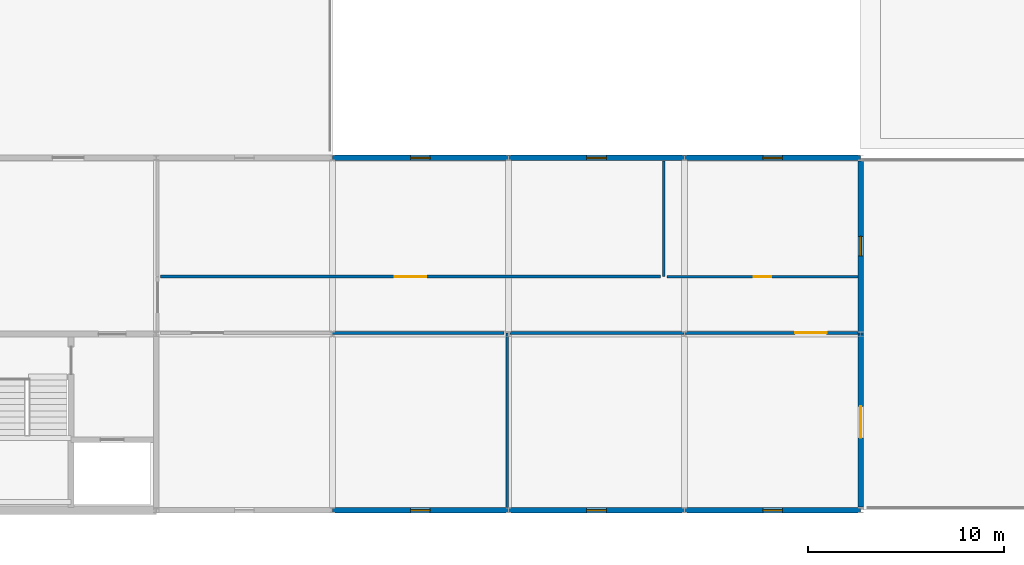
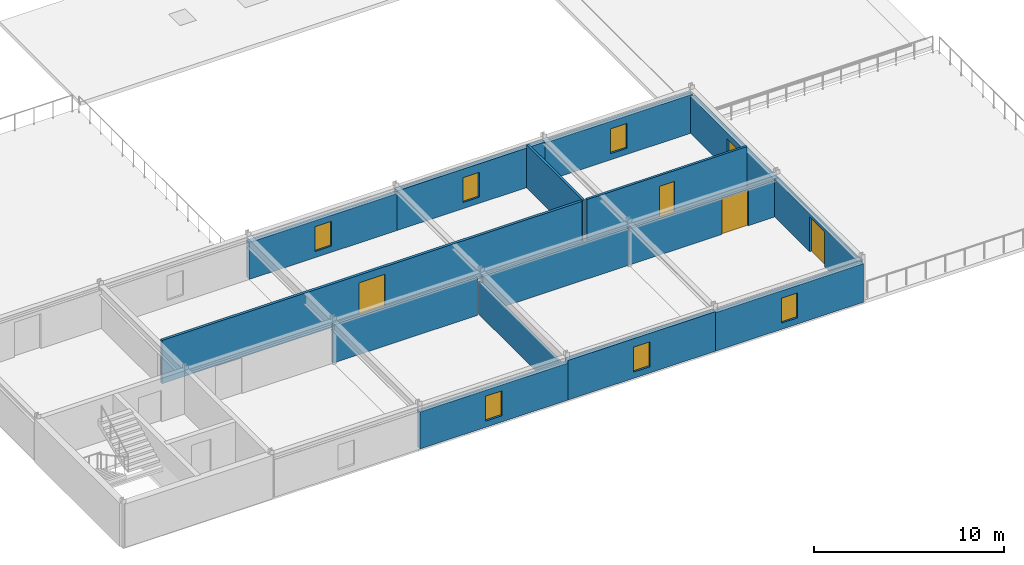
# One storey, part 27 of 37: 15 walls, 7 windows, 4 doors, 11 openings.
"""IFC4 building model written with IfcOpenShell, lengths in metres."""

import ifcopenshell
import ifcopenshell.guid

model = None  # the IFC model being written
_history = None  # IfcOwnerHistory: only IFC2X3 demands one
_inside = {}  # id of a spatial element -> (the spatial element, [elements in it])
_under = {}  # id of a project, library or spatial element -> (it, [spatial elements below it])
_declared = {}  # id of a project -> (the project, [libraries it declares])
_typed = {}  # id of a type object -> (the type object, [elements of that type])
_made_of = {}  # id of a material, layer set ... -> (it, [elements and type objects made of it])


def new_model(schema):
    """Start an empty IFC model of exactly this schema.

    Asked for "IFC4X3", IfcOpenShell would pick the latest addendum, in which some entities
    have other attributes; the version numbers below select the first issue.
    IFC2X3 requires an IfcOwnerHistory on every rooted entity: one is made here for all.
    """
    global model, _history
    if schema == "IFC4X3":
        model = ifcopenshell.file(schema_version=(4, 3, 0, 0))
    else:
        model = ifcopenshell.file(schema=schema)
    _inside.clear()
    _under.clear()
    _declared.clear()
    _typed.clear()
    _made_of.clear()
    _history = None
    if model.schema == "IFC2X3":
        org = make("IfcOrganization", Name="unknown")
        user = make(
            "IfcPersonAndOrganization",
            ThePerson=make("IfcPerson", FamilyName="unknown"),
            TheOrganization=org,
        )
        app = make(
            "IfcApplication",
            ApplicationDeveloper=org,
            Version="unknown",
            ApplicationFullName="unknown",
            ApplicationIdentifier="unknown",
        )
        _history = make(
            "IfcOwnerHistory",
            OwningUser=user,
            OwningApplication=app,
            ChangeAction="ADDED",
            CreationDate=0,
        )
    return model


def make(cls, **values):
    """One entity of the class cls with the attributes given. An attribute that is None is left unset."""
    return model.create_entity(
        cls, **{name: value for name, value in values.items() if value is not None}
    )


def rooted(cls, **values):
    """An entity with a GlobalId (a new one), such as an element, a storey or a relation."""
    return make(cls, GlobalId=ifcopenshell.guid.new(), OwnerHistory=_history, **values)


def si_unit(unit_type, name, prefix=None):
    """IfcSIUnit, for example si_unit("LENGTHUNIT", "METRE", prefix="MILLI")."""
    return make("IfcSIUnit", UnitType=unit_type, Prefix=prefix, Name=name)


def assignment(units):
    """IfcUnitAssignment: the units of a project."""
    return None if units is None else make("IfcUnitAssignment", Units=units)


def point(xyz):
    """IfcCartesianPoint."""
    return None if xyz is None else make("IfcCartesianPoint", Coordinates=xyz)


def direction(xyz):
    """IfcDirection."""
    return None if xyz is None else make("IfcDirection", DirectionRatios=xyz)


def frame(location, z_axis=None, x_axis=None):
    """IfcAxis2Placement3D, a coordinate frame: its origin and axes. An axis left out is left unset."""
    return make(
        "IfcAxis2Placement3D",
        Location=point(location),
        Axis=direction(z_axis),
        RefDirection=direction(x_axis),
    )


def frame_2d(location, x_axis=None):
    """IfcAxis2Placement2D, a coordinate frame in the plane: its origin and x axis."""
    return make(
        "IfcAxis2Placement2D", Location=point(location), RefDirection=direction(x_axis)
    )


def origin():
    """The frame at (0, 0, 0) with its axes left unset."""
    return frame((0.0, 0.0, 0.0))


def place(relative_to, where):
    """IfcLocalPlacement: puts the frame where relative to a parent placement (None: the world)."""
    return make(
        "IfcLocalPlacement", PlacementRelTo=relative_to, RelativePlacement=where
    )


def context(
    kind, dimensions, precision=None, world=None, true_north=None, identifier=None
):
    """IfcGeometricRepresentationContext, for example the 3D "Model" context."""
    return make(
        "IfcGeometricRepresentationContext",
        ContextIdentifier=identifier,
        ContextType=kind,
        CoordinateSpaceDimension=dimensions,
        Precision=precision,
        WorldCoordinateSystem=world,
        TrueNorth=true_north,
    )


def subcontext(parent, identifier, kind, view, scale=None):
    """IfcGeometricRepresentationSubContext, for example "Body" below "Model"."""
    return make(
        "IfcGeometricRepresentationSubContext",
        ContextIdentifier=identifier,
        ContextType=kind,
        ParentContext=parent,
        TargetScale=scale,
        TargetView=view,
    )


def project(units=None, contexts=None):
    """IfcProject with its units and contexts."""
    return rooted(
        "IfcProject",
        Name="project",
        RepresentationContexts=contexts,
        UnitsInContext=assignment(units),
    )


def spatial(cls, under=None, at=None, **own):
    """A site, building, storey or space (cls), placed at a placement, below another one or the project."""
    s = rooted(cls, ObjectPlacement=at, **own)
    if under is not None:
        _under.setdefault(under.id(), (under, []))[1].append(s)
    return s


def profile(cls, at=None, kind="AREA", **sizes):
    """A parametric profile (cls). Its sizes go by their IFC names, for example OverallWidth=200.0."""
    return make(cls, ProfileType=kind, Position=at, **sizes)


def rectangle(**sizes):
    """IfcRectangleProfileDef."""
    return profile("IfcRectangleProfileDef", **sizes)


def extrude(swept, where, along, depth):
    """IfcExtrudedAreaSolid: the profile swept, set in the frame where, extruded along a direction by depth."""
    return make(
        "IfcExtrudedAreaSolid",
        SweptArea=swept,
        Position=where,
        ExtrudedDirection=direction(along),
        Depth=depth,
    )


def shape(context_of_items, identifier, shape_type, items):
    """IfcShapeRepresentation: the items that make up one representation, for example the "Body"."""
    return make(
        "IfcShapeRepresentation",
        ContextOfItems=context_of_items,
        RepresentationIdentifier=identifier,
        RepresentationType=shape_type,
        Items=items,
    )


def material(Name=None, Category=None):
    """IfcMaterial."""
    return make("IfcMaterial", Name=Name, Category=Category)


def layer(
    of_material, thickness, ventilated=None, Name=None, Category=None, Priority=None
):
    """IfcMaterialLayer: one layer of a wall or slab, of a material (None: an air gap)."""
    return make(
        "IfcMaterialLayer",
        Material=of_material,
        LayerThickness=thickness,
        IsVentilated=ventilated,
        Name=Name,
        Category=Category,
        Priority=Priority,
    )


def layer_set(layers, Name=None):
    """IfcMaterialLayerSet."""
    return make("IfcMaterialLayerSet", MaterialLayers=layers, LayerSetName=Name)


def made_of(thing, what):
    """Note that an element or type object is made of a material, layer set ...; save() writes the relation."""
    if what is not None:
        _made_of.setdefault(what.id(), (what, []))[1].append(thing)
    return thing


def type_object(cls, material=None, **own):
    """A type object (cls), such as IfcWallType, which elements share."""
    return made_of(rooted(cls, **own), material)


def element(
    cls,
    number,
    at=None,
    inside=None,
    cuts=None,
    type_object=None,
    material=None,
    context=None,
    identifier="Body",
    shape_type=None,
    held_by="IfcProductDefinitionShape",
    body=None,
    shapes=None,
    **own,
):
    """One element of the class cls, such as IfcWall. Its Tag is "e" and its number.

    at: its placement. inside: the storey or other place that contains it. cuts: it is an
    opening in that element (IfcRelVoidsElement). A single representation is given by context,
    identifier, shape_type and body (its items); several are given by shapes. held_by: the class
    of the entity that holds the representations. save() writes the other relations.
    """
    e = rooted(cls, Tag="e%d" % number, ObjectPlacement=at, **own)
    if body is not None:
        shapes = [shape(context, identifier, shape_type, body)]
    if shapes is not None:
        e.Representation = make(held_by, Representations=shapes)
    if inside is not None:
        _inside.setdefault(inside.id(), (inside, []))[1].append(e)
    if cuts is not None:
        rooted(
            "IfcRelVoidsElement", RelatingBuildingElement=cuts, RelatedOpeningElement=e
        )
    if type_object is not None:
        _typed.setdefault(type_object.id(), (type_object, []))[1].append(e)
    return made_of(e, material)


def fill(opening, filler):
    """IfcRelFillsElement: the door or window that sits in an opening."""
    return rooted(
        "IfcRelFillsElement",
        RelatingOpeningElement=opening,
        RelatedBuildingElement=filler,
    )


def aggregate(whole, parts):
    """IfcRelAggregates: a whole, such as a stair, and the parts it consists of."""
    return rooted("IfcRelAggregates", RelatingObject=whole, RelatedObjects=parts)


def save(model, path):
    """Write the relations noted so far, then the file.

    IfcRelAggregates (storeys below a building ...), IfcRelContainedInSpatialStructure (elements
    in a storey), IfcRelDefinesByType, IfcRelAssociatesMaterial and IfcRelDeclares: one each for
    every whole, place, type object, material and project.
    """
    for whole, parts in _under.values():
        aggregate(whole, parts)
    for where, things in _inside.values():
        rooted(
            "IfcRelContainedInSpatialStructure",
            RelatedElements=things,
            RelatingStructure=where,
        )
    for kind, things in _typed.values():
        rooted("IfcRelDefinesByType", RelatedObjects=things, RelatingType=kind)
    for what, things in _made_of.values():
        rooted("IfcRelAssociatesMaterial", RelatedObjects=things, RelatingMaterial=what)
    for by, libraries in _declared.values():
        rooted("IfcRelDeclares", RelatingContext=by, RelatedDefinitions=libraries)
    model.write(path)


model = new_model("IFC4")

# Units and contexts
model_context = context("Model", 3, precision=1e-05, world=origin(), true_north=direction((0.0, 1.0)))
body_context = subcontext(model_context, "Body", "Model", "MODEL_VIEW")
ifc_project = project(units=[si_unit("LENGTHUNIT", "METRE"), si_unit("AREAUNIT", "SQUARE_METRE"), si_unit("VOLUMEUNIT", "CUBIC_METRE"), si_unit("PLANEANGLEUNIT", "RADIAN"), si_unit("MASSUNIT", "GRAM", prefix="KILO")], contexts=[model_context])

# Site, building, storey
site_placement = place(None, origin())
site = spatial("IfcSite", under=ifc_project, at=site_placement, CompositionType="ELEMENT")
building_placement = place(site_placement, origin())
building = spatial("IfcBuilding", under=site, at=building_placement, Name="Palais des Congres Ocreval", CompositionType="ELEMENT")
storey_placement = place(building_placement, frame((0.0, 0.0, 11.52001953125)))
storey = spatial("IfcBuildingStorey", under=building, at=storey_placement, Name="L03", CompositionType="ELEMENT", Elevation=11.52001953125)

# Wall
ifc_material_1 = material(Name="Moisture-resistant gypsum board")
ifc_layer_1 = layer(ifc_material_1, 0.139892578125)
ifc_layer_set_1 = layer_set([ifc_layer_1], Name="Bathroom Plumbing Chase Wall 140 Gypsum (Moisture-resistant gypsum board)")
wall_type_1 = type_object("IfcWallType", Name="Bathroom Plumbing Chase Wall 140 Gypsum", PredefinedType="PLUMBINGWALL", material=ifc_layer_set_1)
wall_1_placement = place(storey_placement, frame((142.93505859375, 11.93994140625, 0.0), z_axis=(0.0, 0.0, 1.0), x_axis=(0.0, 1.0, 0.0)))
element("IfcWall", 1, at=wall_1_placement, inside=storey, type_object=wall_type_1, Name="Interior Partition PW03 L03", PredefinedType="PLUMBINGWALL", context=body_context, shape_type="SweptSolid", body=[
    extrude(rectangle(XDim=5.9150390625, YDim=0.139892578125, at=frame_2d((2.95751953125, 0.0))), origin(), (0.0, 0.0, 1.0), 2.7900390625),
])

# Wall, opening, door
wall_2_placement = place(storey_placement, frame((143.090087890625, 11.93505859375, 0.0), z_axis=(0.0, 0.0, 1.0), x_axis=(1.0, 0.0, 0.0)))
wall_2 = element("IfcWall", 2, at=wall_2_placement, inside=storey, type_object=wall_type_1, Name="Interior Partition PW03 L03", PredefinedType="PLUMBINGWALL", context=body_context, shape_type="SweptSolid", body=[
    extrude(rectangle(XDim=9.764892578125, YDim=0.139892578125, at=frame_2d((4.88232421875, 0.0))), origin(), (0.0, 0.0, 1.0), 2.7900390625),
])
opening_1_placement = place(wall_2_placement, frame((4.4326171875, 0.0, 0.0)))
opening_1 = element("IfcOpeningElement", 3, at=opening_1_placement, cuts=wall_2, Name="Opening D09", PredefinedType="OPENING", context=body_context, shape_type="SweptSolid", body=[
    extrude(rectangle(XDim=0.89990234375, YDim=2.10009765625, at=frame_2d((0.449951171875, 1.050048828125))), frame((0.0, 0.079833984375, 0.0), z_axis=(0.0, -1.0, 0.0), x_axis=(1.0, 0.0, 0.0)), (0.0, 0.0, 1.0), 0.159912109375),
])
ifc_material_2 = material(Name="Solid French oak", Category="wood")
door_type_1 = type_object("IfcDoorType", Name="Accessible Restroom Door 900x2100", OperationType="NOTDEFINED", PredefinedType="DOOR", material=ifc_material_2)
door_1_placement = place(opening_1_placement, origin())
door_1 = element("IfcDoor", 4, at=door_1_placement, inside=storey, type_object=door_type_1, Name="Interior Door D09 L03", OperationType="SINGLE_SWING_RIGHT", OverallHeight=2.10009765625, OverallWidth=0.89990234375, PredefinedType="DOOR", context=body_context, shape_type="SweptSolid", body=[
    extrude(rectangle(XDim=0.89990234375, YDim=2.10009765625, at=frame_2d((0.449951171875, 1.050048828125))), frame((0.0, 0.02490234375, 0.0), z_axis=(0.0, -1.0, 0.0), x_axis=(1.0, 0.0, 0.0)), (0.0, 0.0, 1.0), 0.050048828125),
])
fill(opening_1, door_1)

# Wall
ifc_material_3 = material(Name="Gypsum acoustic partition")
ifc_layer_2 = layer(ifc_material_3, 0.159912109375)
ifc_layer_set_2 = layer_set([ifc_layer_2], Name="Corridor Fire Partition 160 Gypsum (Gypsum acoustic partition)")
wall_type_2 = type_object("IfcWallType", Name="Corridor Fire Partition 160 Gypsum", PredefinedType="PARTITIONING", material=ifc_layer_set_2)
wall_3_placement = place(storey_placement, frame((135.090087890625, 9.06494140625, 0.0), z_axis=(0.0, 0.0, 1.0), x_axis=(1.0, 0.0, 0.0)))
element("IfcWall", 5, at=wall_3_placement, inside=storey, type_object=wall_type_2, Name="Interior Partition IW03 L03", PredefinedType="PARTITIONING", context=body_context, shape_type="SweptSolid", body=[
    extrude(rectangle(XDim=8.889892578125, YDim=0.159912109375, at=frame_2d((4.44482421875, 0.0))), origin(), (0.0, 0.0, 1.0), 2.389892578125),
])

# Wall, opening, door
wall_4_placement = place(storey_placement, frame((117.219970703125, 11.93505859375, 0.0), z_axis=(0.0, 0.0, 1.0), x_axis=(1.0, 0.0, 0.0)))
wall_4 = element("IfcWall", 6, at=wall_4_placement, inside=storey, type_object=wall_type_2, Name="Interior Partition IW03 L03", PredefinedType="PARTITIONING", context=body_context, shape_type="SweptSolid", body=[
    extrude(rectangle(XDim=25.56005859375, YDim=0.159912109375, at=frame_2d((12.780029296875, 0.0))), origin(), (0.0, 0.0, 1.0), 2.7900390625),
])
opening_2_placement = place(wall_4_placement, frame((11.97998046875, 0.0, 0.0)))
opening_2 = element("IfcOpeningElement", 7, at=opening_2_placement, cuts=wall_4, Name="Opening D12", PredefinedType="OPENING", context=body_context, shape_type="SweptSolid", body=[
    extrude(rectangle(XDim=1.60009765625, YDim=2.300048828125, at=frame_2d((0.800048828125, 1.14990234375))), frame((0.0, 0.08984375, 0.0), z_axis=(0.0, -1.0, 0.0), x_axis=(1.0, 0.0, 0.0)), (0.0, 0.0, 1.0), 0.179931640625),
])
door_type_2 = type_object("IfcDoorType", Name="Meeting Room Acoustic Double Door 1600x2300", OperationType="NOTDEFINED", PredefinedType="DOOR", material=ifc_material_2)
door_2_placement = place(opening_2_placement, origin())
door_2 = element("IfcDoor", 8, at=door_2_placement, inside=storey, type_object=door_type_2, Name="Interior Door D12 L03", OperationType="DOUBLE_DOOR_SINGLE_SWING", OverallHeight=2.300048828125, OverallWidth=1.60009765625, PredefinedType="DOOR", context=body_context, shape_type="SweptSolid", body=[
    extrude(rectangle(XDim=1.60009765625, YDim=2.300048828125, at=frame_2d((0.800048828125, 1.14990234375))), frame((0.0, 0.02490234375, 0.0), z_axis=(0.0, -1.0, 0.0), x_axis=(1.0, 0.0, 0.0)), (0.0, 0.0, 1.0), 0.050048828125),
])
fill(opening_2, door_2)

# Wall
wall_5_placement = place(storey_placement, frame((125.97998046875, 9.06494140625, 0.0), z_axis=(0.0, 0.0, 1.0), x_axis=(1.0, 0.0, 0.0)))
element("IfcWall", 9, at=wall_5_placement, inside=storey, type_object=wall_type_2, Name="Interior Partition IW03 L03", PredefinedType="PARTITIONING", context=body_context, shape_type="SweptSolid", body=[
    extrude(rectangle(XDim=8.800048828125, YDim=0.159912109375, at=frame_2d((4.39990234375, 0.0))), origin(), (0.0, 0.0, 1.0), 2.449951171875),
])

# Wall, opening, door
wall_6_placement = place(storey_placement, frame((143.97998046875, 9.06494140625, 0.0), z_axis=(0.0, 0.0, 1.0), x_axis=(1.0, 0.0, 0.0)))
wall_6 = element("IfcWall", 10, at=wall_6_placement, inside=storey, type_object=wall_type_2, Name="Interior Partition IW03 L03", PredefinedType="PARTITIONING", context=body_context, shape_type="SweptSolid", body=[
    extrude(rectangle(XDim=8.875, YDim=0.159912109375, at=frame_2d((4.4375, 0.0))), origin(), (0.0, 0.0, 1.0), 2.340087890625),
])
opening_3_placement = place(wall_6_placement, frame((5.675048828125, 0.0, 0.0)))
opening_3 = element("IfcOpeningElement", 11, at=opening_3_placement, cuts=wall_6, Name="Opening D12", PredefinedType="OPENING", context=body_context, shape_type="SweptSolid", body=[
    extrude(rectangle(XDim=1.60009765625, YDim=2.300048828125, at=frame_2d((0.800048828125, 1.14990234375))), frame((0.0, 0.08984375, 0.0), z_axis=(0.0, -1.0, 0.0), x_axis=(1.0, 0.0, 0.0)), (0.0, 0.0, 1.0), 0.179931640625),
])
door_3_placement = place(opening_3_placement, origin())
door_3 = element("IfcDoor", 12, at=door_3_placement, inside=storey, type_object=door_type_2, Name="Interior Door D12 L03", OperationType="DOUBLE_DOOR_SINGLE_SWING", OverallHeight=2.300048828125, OverallWidth=1.60009765625, PredefinedType="DOOR", context=body_context, shape_type="SweptSolid", body=[
    extrude(rectangle(XDim=1.60009765625, YDim=2.300048828125, at=frame_2d((0.800048828125, 1.14990234375))), frame((0.0, 0.02490234375, 0.0), z_axis=(0.0, -1.0, 0.0), x_axis=(1.0, 0.0, 0.0)), (0.0, 0.0, 1.0), 0.050048828125),
])
fill(opening_3, door_3)

# Wall
ifc_material_4 = material(Name="Gypsum board partition")
ifc_layer_3 = layer(ifc_material_4, 0.1201171875)
ifc_layer_set_3 = layer_set([ifc_layer_3], Name="Suite Subdivision Partition 120 Gypsum (Gypsum board partition)")
wall_type_3 = type_object("IfcWallType", Name="Suite Subdivision Partition 120 Gypsum", PredefinedType="PARTITIONING", material=ifc_layer_set_3)
wall_7_placement = place(storey_placement, frame((134.93505859375, 0.14501953125, 0.0), z_axis=(0.0, 0.0, 1.0), x_axis=(0.0, 1.0, 0.0)))
element("IfcWall", 13, at=wall_7_placement, inside=storey, type_object=wall_type_3, Name="Interior Partition IW04 L03", PredefinedType="PARTITIONING", context=body_context, shape_type="SweptSolid", body=[
    extrude(rectangle(XDim=8.9150390625, YDim=0.1201171875, at=frame_2d((4.45751953125, 0.0))), origin(), (0.0, 0.0, 1.0), 2.090087890625),
])

# Wall, opening, window
ifc_material_5 = material(Name="Concrete C40/50", Category="concrete")
ifc_layer_4 = layer(ifc_material_5, 0.280029296875)
ifc_layer_set_4 = layer_set([ifc_layer_4], Name="Terracotta Mineral-Lime Facade Wall 280 Concrete C40/50")
wall_type_4 = type_object("IfcWallType", Name="Terracotta Mineral-Lime Facade Wall 280 Concrete C40/50", PredefinedType="SOLIDWALL", material=ifc_layer_set_4)
wall_8_placement = place(storey_placement, frame((126.0, 18.0, 0.0), z_axis=(0.0, 0.0, 1.0), x_axis=(1.0, 0.0, 0.0)))
wall_8 = element("IfcWall", 14, at=wall_8_placement, inside=storey, type_object=wall_type_4, Name="Exterior Wall EW05 L03", PredefinedType="SOLIDWALL", context=body_context, shape_type="SweptSolid", body=[
    extrude(rectangle(XDim=9.0, YDim=0.280029296875, at=frame_2d((4.5, 0.0))), origin(), (0.0, 0.0, 1.0), 2.3798828125),
])
opening_4_placement = place(wall_8_placement, frame((4.0, 0.0, 0.39990234375)))
opening_4 = element("IfcOpeningElement", 15, at=opening_4_placement, cuts=wall_8, Name="Opening WN18", PredefinedType="OPENING", context=body_context, shape_type="SweptSolid", body=[
    extrude(rectangle(XDim=1.0, YDim=1.60009765625, at=frame_2d((0.5, 0.800048828125))), frame((0.0, 0.14990234375, 0.0), z_axis=(0.0, -1.0, 0.0), x_axis=(1.0, 0.0, 0.0)), (0.0, 0.0, 1.0), 0.300048828125),
])
ifc_material_6 = material(Name="Anodized bronze aluminium and low-E glass", Category="glass")
window_type = type_object("IfcWindowType", Name="Stair and Lobby Daylight Window 1000x1600", PartitioningType="SINGLE_PANEL", PredefinedType="WINDOW", material=ifc_material_6)
window_1_placement = place(opening_4_placement, origin())
window_1 = element("IfcWindow", 16, at=window_1_placement, inside=storey, type_object=window_type, Name="Facade Window WN18", OverallHeight=1.60009765625, OverallWidth=1.0, PartitioningType="SINGLE_PANEL", PredefinedType="WINDOW", context=body_context, shape_type="SweptSolid", body=[
    extrude(rectangle(XDim=1.0, YDim=1.60009765625, at=frame_2d((0.5, 0.800048828125))), frame((0.0, 0.030029296875, 0.0), z_axis=(0.0, -1.0, 0.0), x_axis=(1.0, 0.0, 0.0)), (0.0, 0.0, 1.0), 0.06005859375),
])
fill(opening_4, window_1)

wall_9_placement = place(storey_placement, frame((135.0, 18.0, 0.0), z_axis=(0.0, 0.0, 1.0), x_axis=(1.0, 0.0, 0.0)))
wall_9 = element("IfcWall", 17, at=wall_9_placement, inside=storey, type_object=wall_type_4, Name="Exterior Wall EW05 L03", PredefinedType="SOLIDWALL", context=body_context, shape_type="SweptSolid", body=[
    extrude(rectangle(XDim=9.0, YDim=0.280029296875, at=frame_2d((4.5, 0.0))), origin(), (0.0, 0.0, 1.0), 2.550048828125),
])
opening_5_placement = place(wall_9_placement, frame((4.0, 0.0, 0.39990234375)))
opening_5 = element("IfcOpeningElement", 18, at=opening_5_placement, cuts=wall_9, Name="Opening WN18", PredefinedType="OPENING", context=body_context, shape_type="SweptSolid", body=[
    extrude(rectangle(XDim=1.0, YDim=1.60009765625, at=frame_2d((0.5, 0.800048828125))), frame((0.0, 0.14990234375, 0.0), z_axis=(0.0, -1.0, 0.0), x_axis=(1.0, 0.0, 0.0)), (0.0, 0.0, 1.0), 0.300048828125),
])
window_2_placement = place(opening_5_placement, origin())
window_2 = element("IfcWindow", 19, at=window_2_placement, inside=storey, type_object=window_type, Name="Facade Window WN18", OverallHeight=1.60009765625, OverallWidth=1.0, PartitioningType="SINGLE_PANEL", PredefinedType="WINDOW", context=body_context, shape_type="SweptSolid", body=[
    extrude(rectangle(XDim=1.0, YDim=1.60009765625, at=frame_2d((0.5, 0.800048828125))), frame((0.0, 0.030029296875, 0.0), z_axis=(0.0, -1.0, 0.0), x_axis=(1.0, 0.0, 0.0)), (0.0, 0.0, 1.0), 0.06005859375),
])
fill(opening_5, window_2)

wall_10_placement = place(storey_placement, frame((144.0, 18.0, 0.0), z_axis=(0.0, 0.0, 1.0), x_axis=(1.0, 0.0, 0.0)))
wall_10 = element("IfcWall", 20, at=wall_10_placement, inside=storey, type_object=wall_type_4, Name="Exterior Wall EW05 L03", PredefinedType="SOLIDWALL", context=body_context, shape_type="SweptSolid", body=[
    extrude(rectangle(XDim=9.0, YDim=0.280029296875, at=frame_2d((4.5, 0.0))), origin(), (0.0, 0.0, 1.0), 2.47998046875),
])
opening_6_placement = place(wall_10_placement, frame((4.0, 0.0, 0.39990234375)))
opening_6 = element("IfcOpeningElement", 21, at=opening_6_placement, cuts=wall_10, Name="Opening WN18", PredefinedType="OPENING", context=body_context, shape_type="SweptSolid", body=[
    extrude(rectangle(XDim=1.0, YDim=1.60009765625, at=frame_2d((0.5, 0.800048828125))), frame((0.0, 0.14990234375, 0.0), z_axis=(0.0, -1.0, 0.0), x_axis=(1.0, 0.0, 0.0)), (0.0, 0.0, 1.0), 0.300048828125),
])
window_3_placement = place(opening_6_placement, origin())
window_3 = element("IfcWindow", 22, at=window_3_placement, inside=storey, type_object=window_type, Name="Facade Window WN18", OverallHeight=1.60009765625, OverallWidth=1.0, PartitioningType="SINGLE_PANEL", PredefinedType="WINDOW", context=body_context, shape_type="SweptSolid", body=[
    extrude(rectangle(XDim=1.0, YDim=1.60009765625, at=frame_2d((0.5, 0.800048828125))), frame((0.0, 0.030029296875, 0.0), z_axis=(0.0, -1.0, 0.0), x_axis=(1.0, 0.0, 0.0)), (0.0, 0.0, 1.0), 0.06005859375),
])
fill(opening_6, window_3)

wall_11_placement = place(storey_placement, frame((153.0, 17.844970703125, 0.0), z_axis=(0.0, 0.0, 1.0), x_axis=(0.0, -1.0, 0.0)))
wall_11 = element("IfcWall", 23, at=wall_11_placement, inside=storey, type_object=wall_type_4, Name="Exterior Wall EW05 L03", PredefinedType="SOLIDWALL", context=body_context, shape_type="SweptSolid", body=[
    extrude(rectangle(XDim=8.844970703125, YDim=0.280029296875, at=frame_2d((4.42236328125, 0.0))), origin(), (0.0, 0.0, 1.0), 2.389892578125),
])
opening_7_placement = place(wall_11_placement, frame((3.844970703125, 0.0, 0.39990234375)))
opening_7 = element("IfcOpeningElement", 24, at=opening_7_placement, cuts=wall_11, Name="Opening WN18", PredefinedType="OPENING", context=body_context, shape_type="SweptSolid", body=[
    extrude(rectangle(XDim=1.0, YDim=1.60009765625, at=frame_2d((0.5, 0.800048828125))), frame((0.0, 0.14990234375, 0.0), z_axis=(0.0, -1.0, 0.0), x_axis=(1.0, 0.0, 0.0)), (0.0, 0.0, 1.0), 0.300048828125),
])
window_4_placement = place(opening_7_placement, origin())
window_4 = element("IfcWindow", 25, at=window_4_placement, inside=storey, type_object=window_type, Name="Facade Window WN18", OverallHeight=1.60009765625, OverallWidth=1.0, PartitioningType="SINGLE_PANEL", PredefinedType="WINDOW", context=body_context, shape_type="SweptSolid", body=[
    extrude(rectangle(XDim=1.0, YDim=1.60009765625, at=frame_2d((0.5, 0.800048828125))), frame((0.0, 0.030029296875, 0.0), z_axis=(0.0, -1.0, 0.0), x_axis=(1.0, 0.0, 0.0)), (0.0, 0.0, 1.0), 0.06005859375),
])
fill(opening_7, window_4)

# Wall, opening, door
wall_12_placement = place(storey_placement, frame((153.0, 9.0, 0.0), z_axis=(0.0, 0.0, 1.0), x_axis=(0.0, -1.0, 0.0)))
wall_12 = element("IfcWall", 26, at=wall_12_placement, inside=storey, type_object=wall_type_4, Name="Exterior Wall EW05 L03", PredefinedType="SOLIDWALL", context=body_context, shape_type="SweptSolid", body=[
    extrude(rectangle(XDim=8.844970703125, YDim=0.280029296875, at=frame_2d((4.42236328125, 0.0))), origin(), (0.0, 0.0, 1.0), 2.449951171875),
])
opening_8_placement = place(wall_12_placement, frame((3.699951171875, 0.0, 0.0)))
opening_8 = element("IfcOpeningElement", 27, at=opening_8_placement, cuts=wall_12, Name="Opening TD02", PredefinedType="OPENING", context=body_context, shape_type="SweptSolid", body=[
    extrude(rectangle(XDim=1.60009765625, YDim=2.25, at=frame_2d((0.800048828125, 1.125))), frame((0.0, 0.14990234375, 0.0), z_axis=(0.0, -1.0, 0.0), x_axis=(1.0, 0.0, 0.0)), (0.0, 0.0, 1.0), 0.300048828125),
])
ifc_material_7 = material(Name="Anodized bronze aluminium and safety glass", Category="aluminium")
door_type_3 = type_object("IfcDoorType", Name="Suite Terrace French Door 1600x2250", OperationType="NOTDEFINED", PredefinedType="DOOR", material=ifc_material_7)
door_4_placement = place(opening_8_placement, origin())
door_4 = element("IfcDoor", 28, at=door_4_placement, inside=storey, type_object=door_type_3, Name="Terrace Access Door Breakout East Planted Roof Terrace", OperationType="DOUBLE_DOOR_SINGLE_SWING", OverallHeight=2.25, OverallWidth=1.60009765625, PredefinedType="DOOR", context=body_context, shape_type="SweptSolid", body=[
    extrude(rectangle(XDim=1.60009765625, YDim=2.25, at=frame_2d((0.800048828125, 1.125))), frame((0.0, 0.02490234375, 0.0), z_axis=(0.0, -1.0, 0.0), x_axis=(1.0, 0.0, 0.0)), (0.0, 0.0, 1.0), 0.050048828125),
])
fill(opening_8, door_4)

# Wall, opening, window
wall_13_placement = place(storey_placement, frame((153.0, 0.0, 0.0), z_axis=(0.0, 0.0, 1.0), x_axis=(-1.0, 0.0, 0.0)))
wall_13 = element("IfcWall", 29, at=wall_13_placement, inside=storey, type_object=wall_type_4, Name="Exterior Wall EW05 L03", PredefinedType="SOLIDWALL", context=body_context, shape_type="SweptSolid", body=[
    extrude(rectangle(XDim=9.0, YDim=0.280029296875, at=frame_2d((4.5, 0.0))), origin(), (0.0, 0.0, 1.0), 2.47998046875),
])
opening_9_placement = place(wall_13_placement, frame((4.0, 0.0, 0.39990234375)))
opening_9 = element("IfcOpeningElement", 30, at=opening_9_placement, cuts=wall_13, Name="Opening WN18", PredefinedType="OPENING", context=body_context, shape_type="SweptSolid", body=[
    extrude(rectangle(XDim=1.0, YDim=1.60009765625, at=frame_2d((0.5, 0.800048828125))), frame((0.0, 0.14990234375, 0.0), z_axis=(0.0, -1.0, 0.0), x_axis=(1.0, 0.0, 0.0)), (0.0, 0.0, 1.0), 0.300048828125),
])
window_5_placement = place(opening_9_placement, origin())
window_5 = element("IfcWindow", 31, at=window_5_placement, inside=storey, type_object=window_type, Name="Facade Window WN18", OverallHeight=1.60009765625, OverallWidth=1.0, PartitioningType="SINGLE_PANEL", PredefinedType="WINDOW", context=body_context, shape_type="SweptSolid", body=[
    extrude(rectangle(XDim=1.0, YDim=1.60009765625, at=frame_2d((0.5, 0.800048828125))), frame((0.0, 0.030029296875, 0.0), z_axis=(0.0, -1.0, 0.0), x_axis=(1.0, 0.0, 0.0)), (0.0, 0.0, 1.0), 0.06005859375),
])
fill(opening_9, window_5)

wall_14_placement = place(storey_placement, frame((144.0, 0.0, 0.0), z_axis=(0.0, 0.0, 1.0), x_axis=(-1.0, 0.0, 0.0)))
wall_14 = element("IfcWall", 32, at=wall_14_placement, inside=storey, type_object=wall_type_4, Name="Exterior Wall EW05 L03", PredefinedType="SOLIDWALL", context=body_context, shape_type="SweptSolid", body=[
    extrude(rectangle(XDim=9.0, YDim=0.280029296875, at=frame_2d((4.5, 0.0))), origin(), (0.0, 0.0, 1.0), 2.550048828125),
])
opening_10_placement = place(wall_14_placement, frame((4.0, 0.0, 0.39990234375)))
opening_10 = element("IfcOpeningElement", 33, at=opening_10_placement, cuts=wall_14, Name="Opening WN18", PredefinedType="OPENING", context=body_context, shape_type="SweptSolid", body=[
    extrude(rectangle(XDim=1.0, YDim=1.60009765625, at=frame_2d((0.5, 0.800048828125))), frame((0.0, 0.14990234375, 0.0), z_axis=(0.0, -1.0, 0.0), x_axis=(1.0, 0.0, 0.0)), (0.0, 0.0, 1.0), 0.300048828125),
])
window_6_placement = place(opening_10_placement, origin())
window_6 = element("IfcWindow", 34, at=window_6_placement, inside=storey, type_object=window_type, Name="Facade Window WN18", OverallHeight=1.60009765625, OverallWidth=1.0, PartitioningType="SINGLE_PANEL", PredefinedType="WINDOW", context=body_context, shape_type="SweptSolid", body=[
    extrude(rectangle(XDim=1.0, YDim=1.60009765625, at=frame_2d((0.5, 0.800048828125))), frame((0.0, 0.030029296875, 0.0), z_axis=(0.0, -1.0, 0.0), x_axis=(1.0, 0.0, 0.0)), (0.0, 0.0, 1.0), 0.06005859375),
])
fill(opening_10, window_6)

wall_15_placement = place(storey_placement, frame((135.0, 0.0, 0.0), z_axis=(0.0, 0.0, 1.0), x_axis=(-1.0, 0.0, 0.0)))
wall_15 = element("IfcWall", 35, at=wall_15_placement, inside=storey, type_object=wall_type_4, Name="Exterior Wall EW05 L03", PredefinedType="SOLIDWALL", context=body_context, shape_type="SweptSolid", body=[
    extrude(rectangle(XDim=9.0, YDim=0.280029296875, at=frame_2d((4.5, 0.0))), origin(), (0.0, 0.0, 1.0), 2.3798828125),
])
opening_11_placement = place(wall_15_placement, frame((4.0, 0.0, 0.39990234375)))
opening_11 = element("IfcOpeningElement", 36, at=opening_11_placement, cuts=wall_15, Name="Opening WN18", PredefinedType="OPENING", context=body_context, shape_type="SweptSolid", body=[
    extrude(rectangle(XDim=1.0, YDim=1.60009765625, at=frame_2d((0.5, 0.800048828125))), frame((0.0, 0.14990234375, 0.0), z_axis=(0.0, -1.0, 0.0), x_axis=(1.0, 0.0, 0.0)), (0.0, 0.0, 1.0), 0.300048828125),
])
window_7_placement = place(opening_11_placement, origin())
window_7 = element("IfcWindow", 37, at=window_7_placement, inside=storey, type_object=window_type, Name="Facade Window WN18", OverallHeight=1.60009765625, OverallWidth=1.0, PartitioningType="SINGLE_PANEL", PredefinedType="WINDOW", context=body_context, shape_type="SweptSolid", body=[
    extrude(rectangle(XDim=1.0, YDim=1.60009765625, at=frame_2d((0.5, 0.800048828125))), frame((0.0, 0.030029296875, 0.0), z_axis=(0.0, -1.0, 0.0), x_axis=(1.0, 0.0, 0.0)), (0.0, 0.0, 1.0), 0.06005859375),
])
fill(opening_11, window_7)

save(model, "model.ifc")
